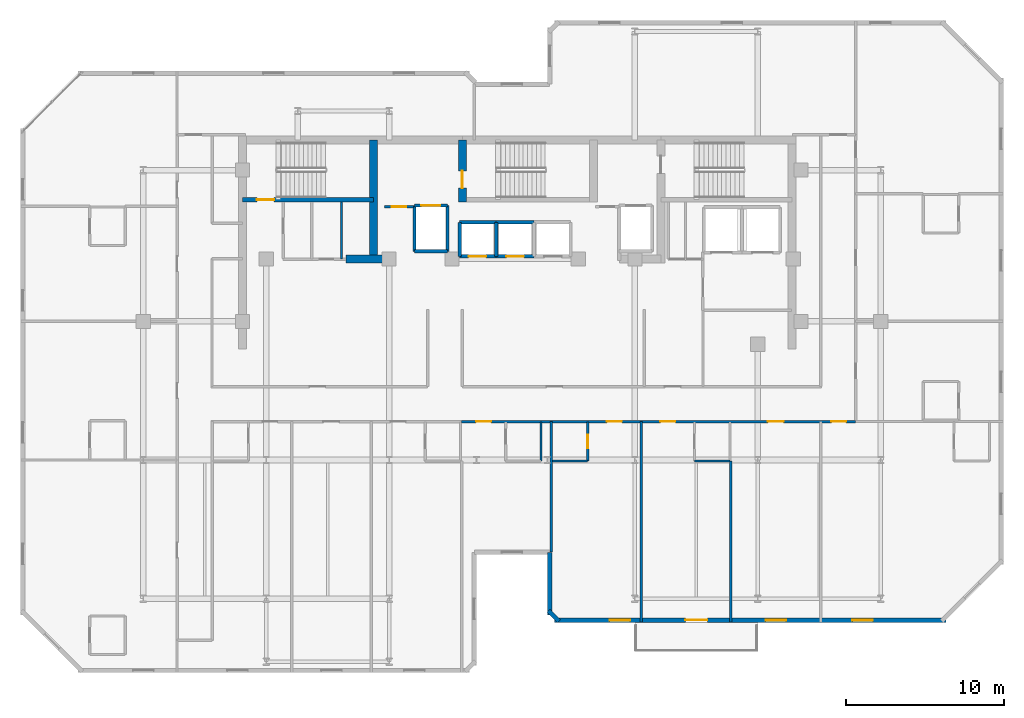
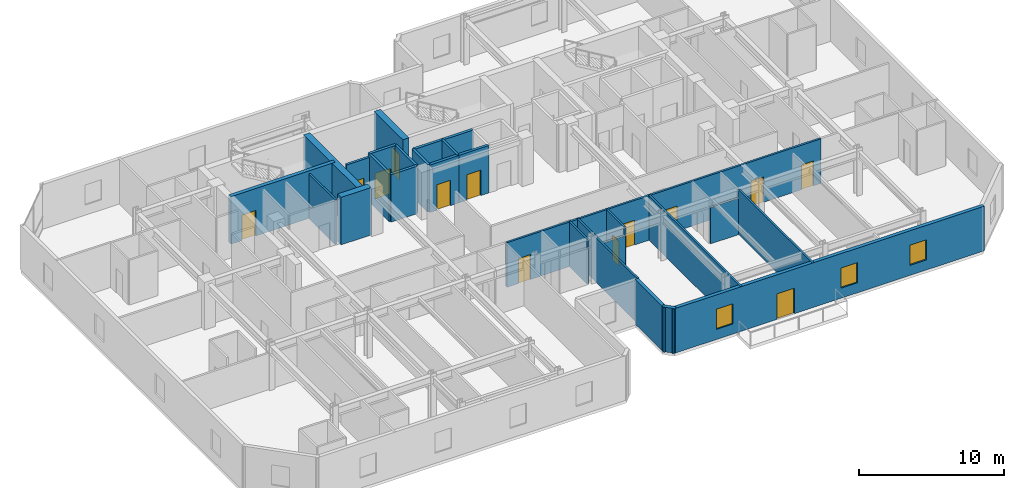
# One storey, part 5 of 11: 27 walls, 13 doors, 3 windows, 16 openings.
"""IFC4 building model written with IfcOpenShell, lengths in metres."""

from ifc_helpers import new_model, si_unit, direction, frame, frame_2d, origin, place, context, subcontext, project, spatial, rectangle, extrude, material, layer, layer_set, type_object, element, fill, save


model = new_model("IFC4")

# Units and contexts
model_context = context("Model", 3, precision=1e-05, world=origin(), true_north=direction((0.0, 1.0)))
body_context = subcontext(model_context, "Body", "Model", "MODEL_VIEW")
ifc_project = project(units=[si_unit("LENGTHUNIT", "METRE"), si_unit("AREAUNIT", "SQUARE_METRE"), si_unit("VOLUMEUNIT", "CUBIC_METRE"), si_unit("PLANEANGLEUNIT", "RADIAN"), si_unit("MASSUNIT", "GRAM", prefix="KILO")], contexts=[model_context])

# Site, building, storey
site_placement = place(None, origin())
site = spatial("IfcSite", under=ifc_project, at=site_placement, CompositionType="ELEMENT")
building_placement = place(site_placement, origin())
building = spatial("IfcBuilding", under=site, at=building_placement, Name="Kestravale Grand Hotel", CompositionType="ELEMENT")
storey_placement = place(building_placement, frame((0.0, 0.0, 289.39990234375)))
storey = spatial("IfcBuildingStorey", under=building, at=storey_placement, Name="L72", CompositionType="ELEMENT", Elevation=289.39990234375)

# Walls
ifc_material_1 = material(Name="Concrete f'c 50 MPa", Category="concrete")
ifc_layer_1 = layer(ifc_material_1, 0.5)
ifc_layer_set_1 = layer_set([ifc_layer_1], Name="EW-CORE-500")
wall_type_1 = type_object("IfcWallType", Name="EW-CORE-500", PredefinedType="SHEAR", material=ifc_layer_set_1)
wall_1_placement = place(storey_placement, frame((28.449951171875, 32.75, 0.0), z_axis=(0.0, 0.0, 1.0), x_axis=(1.0, 0.0, 0.0)))
element("IfcWall", 1, at=wall_1_placement, inside=storey, type_object=wall_type_1, Name="L72 core shear wall S1", PredefinedType="SHEAR", context=body_context, shape_type="SweptSolid", body=[
    extrude(rectangle(XDim=2.400146484375, YDim=0.5, at=frame_2d((1.2001953125, 0.0))), origin(), (0.0, 0.0, 1.0), 4.0),
])
wall_2_placement = place(storey_placement, frame((30.219970703125, 33.0, 0.0), z_axis=(0.0, 0.0, 1.0), x_axis=(0.0, 1.0, 0.0)))
element("IfcWall", 2, at=wall_2_placement, inside=storey, type_object=wall_type_1, Name="L72 core shear wall X1", PredefinedType="SHEAR", context=body_context, shape_type="SweptSolid", body=[
    extrude(rectangle(XDim=7.320068359375, YDim=0.5, at=frame_2d((3.66015625, 0.0))), origin(), (0.0, 0.0, 1.0), 4.0),
])

# Wall, opening, door
wall_3_placement = place(storey_placement, frame((35.85009765625, 36.3701171875, 0.0), z_axis=(0.0, 0.0, 1.0), x_axis=(0.0, 1.0, 0.0)))
wall_3 = element("IfcWall", 3, at=wall_3_placement, inside=storey, type_object=wall_type_1, Name="L72 core shear wall X2", PredefinedType="SHEAR", context=body_context, shape_type="SweptSolid", body=[
    extrude(rectangle(XDim=3.949951171875, YDim=0.5, at=frame_2d((1.97509765625, 0.0))), origin(), (0.0, 0.0, 1.0), 4.0),
])
opening_1_placement = place(wall_3_placement, frame((0.8798828125, 0.0, 0.0)))
opening_1 = element("IfcOpeningElement", 4, at=opening_1_placement, cuts=wall_3, Name="Opening D-ST-1100", PredefinedType="OPENING", context=body_context, shape_type="SweptSolid", body=[
    extrude(rectangle(XDim=1.10009765625, YDim=2.14990234375, at=frame_2d((0.550048828125, 1.074951171875))), frame((0.0, 0.260009765625, 0.0), z_axis=(0.0, -1.0, 0.0), x_axis=(1.0, 0.0, 0.0)), (0.0, 0.0, 1.0), 0.52001953125),
])
ifc_material_2 = material(Name="Galvanised 90-minute fire-rated steel stair door", Category="steel")
door_type_1 = type_object("IfcDoorType", Name="D-ST-1100", OperationType="NOTDEFINED", PredefinedType="DOOR", material=ifc_material_2)
door_1_placement = place(opening_1_placement, origin())
door_1 = element("IfcDoor", 5, at=door_1_placement, inside=storey, type_object=door_type_1, Name="L72 Stair ST-2 FSAE fire door", OperationType="SINGLE_SWING_RIGHT", OverallHeight=2.14990234375, OverallWidth=1.10009765625, PredefinedType="DOOR", context=body_context, shape_type="SweptSolid", body=[
    extrude(rectangle(XDim=1.10009765625, YDim=2.14990234375, at=frame_2d((0.550048828125, 1.074951171875))), frame((0.0, 0.02490234375, 0.0), z_axis=(0.0, -1.0, 0.0), x_axis=(1.0, 0.0, 0.0)), (0.0, 0.0, 1.0), 0.050048828125),
])
fill(opening_1, door_1)

# Walls
ifc_material_3 = material(Name="Precast concrete f'c 45 MPa", Category="concrete")
ifc_layer_2 = layer(ifc_material_3, 0.280029296875)
ifc_layer_set_2 = layer_set([ifc_layer_2], Name="EW-PREC-280")
wall_type_2 = type_object("IfcWallType", Name="EW-PREC-280", PredefinedType="SOLIDWALL", material=ifc_layer_set_2)
wall_4_placement = place(storey_placement, frame((41.389892578125, 14.139892578125, 0.0), z_axis=(0.0, 0.0, 1.0), x_axis=(0.0, -1.0, 0.0)))
element("IfcWall", 6, at=wall_4_placement, inside=storey, type_object=wall_type_2, Name="L72 fluted precast facade wall 5", PredefinedType="SOLIDWALL", context=body_context, shape_type="SweptSolid", body=[
    extrude(rectangle(XDim=3.97998046875, YDim=0.280029296875, at=frame_2d((1.989990234375, 0.0))), origin(), (0.0, 0.0, 1.0), 3.760009765625),
])
wall_5_placement = place(storey_placement, frame((41.32080078125, 10.42724609375, 0.0), z_axis=(0.0, 0.0, 1.0), x_axis=(0.707106781187, -0.707106781187, 0.0)))
element("IfcWall", 7, at=wall_5_placement, inside=storey, type_object=wall_type_2, Name="L72 fluted precast facade wall 6", PredefinedType="SOLIDWALL", context=body_context, shape_type="SweptSolid", body=[
    extrude(rectangle(XDim=0.928466796875, YDim=0.280029296875, at=frame_2d((0.46435546875, 0.0))), origin(), (0.0, 0.0, 1.0), 3.760009765625),
])

# Wall, openings, door, windows
wall_6_placement = place(storey_placement, frame((41.7099609375, 9.840087890625, 0.0), z_axis=(0.0, 0.0, 1.0), x_axis=(1.0, 0.0, 0.0)))
wall_6 = element("IfcWall", 8, at=wall_6_placement, inside=storey, type_object=wall_type_2, Name="L72 fluted precast facade wall 7", PredefinedType="SOLIDWALL", context=body_context, shape_type="SweptSolid", body=[
    extrude(rectangle(XDim=24.830078125, YDim=0.280029296875, at=frame_2d((12.4150390625, 0.0))), origin(), (0.0, 0.0, 1.0), 3.760009765625),
])
opening_2_placement = place(wall_6_placement, frame((8.2900390625, 0.0, 0.0)))
opening_2 = element("IfcOpeningElement", 9, at=opening_2_placement, cuts=wall_6, Name="Opening D-TERR-1400", PredefinedType="OPENING", context=body_context, shape_type="SweptSolid", body=[
    extrude(rectangle(XDim=1.39990234375, YDim=2.14990234375, at=frame_2d((0.699951171875, 1.074951171875))), frame((0.0, 0.14990234375, 0.0), z_axis=(0.0, -1.0, 0.0), x_axis=(1.0, 0.0, 0.0)), (0.0, 0.0, 1.0), 0.300048828125),
])
opening_3_placement = place(wall_6_placement, frame((3.48828125, 0.0, 0.85009765625)))
opening_3 = element("IfcOpeningElement", 10, at=opening_3_placement, cuts=wall_6, Name="Opening W-GUEST-1300", PredefinedType="OPENING", context=body_context, shape_type="SweptSolid", body=[
    extrude(rectangle(XDim=1.300048828125, YDim=1.699951171875, at=frame_2d((0.64990234375, 0.85009765625))), frame((0.0, 0.14990234375, 0.0), z_axis=(0.0, -1.0, 0.0), x_axis=(1.0, 0.0, 0.0)), (0.0, 0.0, 1.0), 0.300048828125),
])
opening_4_placement = place(wall_6_placement, frame((18.8916015625, 0.0, 0.85009765625)))
opening_4 = element("IfcOpeningElement", 11, at=opening_4_placement, cuts=wall_6, Name="Opening W-GUEST-1300", PredefinedType="OPENING", context=body_context, shape_type="SweptSolid", body=[
    extrude(rectangle(XDim=1.300048828125, YDim=1.699951171875, at=frame_2d((0.64990234375, 0.85009765625))), frame((0.0, 0.14990234375, 0.0), z_axis=(0.0, -1.0, 0.0), x_axis=(1.0, 0.0, 0.0)), (0.0, 0.0, 1.0), 0.300048828125),
])
opening_5_placement = place(wall_6_placement, frame((13.39111328125, 0.0, 0.85009765625)))
opening_5 = element("IfcOpeningElement", 12, at=opening_5_placement, cuts=wall_6, Name="Opening W-GUEST-1300", PredefinedType="OPENING", context=body_context, shape_type="SweptSolid", body=[
    extrude(rectangle(XDim=1.300048828125, YDim=1.699951171875, at=frame_2d((0.64990234375, 0.85009765625))), frame((0.0, 0.14990234375, 0.0), z_axis=(0.0, -1.0, 0.0), x_axis=(1.0, 0.0, 0.0)), (0.0, 0.0, 1.0), 0.300048828125),
])
ifc_material_4 = material(Name="Insulated glazed champagne-bronze aluminium door", Category="aluminium")
door_type_2 = type_object("IfcDoorType", Name="D-TERR-1400", OperationType="NOTDEFINED", PredefinedType="DOOR", material=ifc_material_4)
door_2_placement = place(opening_2_placement, origin())
door_2 = element("IfcDoor", 13, at=door_2_placement, inside=storey, type_object=door_type_2, Name="L72 outdoor garden terrace door", OperationType="DOUBLE_DOOR_SINGLE_SWING", OverallHeight=2.14990234375, OverallWidth=1.39990234375, PredefinedType="DOOR", context=body_context, shape_type="SweptSolid", body=[
    extrude(rectangle(XDim=1.39990234375, YDim=2.14990234375, at=frame_2d((0.699951171875, 1.074951171875))), frame((0.0, 0.02490234375, 0.0), z_axis=(0.0, -1.0, 0.0), x_axis=(1.0, 0.0, 0.0)), (0.0, 0.0, 1.0), 0.050048828125),
])
fill(opening_2, door_2)
ifc_material_5 = material(Name="Insulated low-E double glazing in aluminium frame", Category="aluminium")
window_type = type_object("IfcWindowType", Name="W-GUEST-1300", PartitioningType="SINGLE_PANEL", PredefinedType="WINDOW", material=ifc_material_5)
window_1_placement = place(opening_3_placement, origin())
window_1 = element("IfcWindow", 14, at=window_1_placement, inside=storey, type_object=window_type, Name="L72 exterior window 7.1", OverallHeight=1.699951171875, OverallWidth=1.300048828125, PartitioningType="SINGLE_PANEL", PredefinedType="WINDOW", context=body_context, shape_type="SweptSolid", body=[
    extrude(rectangle(XDim=1.300048828125, YDim=1.699951171875, at=frame_2d((0.64990234375, 0.85009765625))), frame((0.0, 0.030029296875, 0.0), z_axis=(0.0, -1.0, 0.0), x_axis=(1.0, 0.0, 0.0)), (0.0, 0.0, 1.0), 0.06005859375),
])
fill(opening_3, window_1)
window_2_placement = place(opening_4_placement, origin())
window_2 = element("IfcWindow", 15, at=window_2_placement, inside=storey, type_object=window_type, Name="L72 exterior window 7.2", OverallHeight=1.699951171875, OverallWidth=1.300048828125, PartitioningType="SINGLE_PANEL", PredefinedType="WINDOW", context=body_context, shape_type="SweptSolid", body=[
    extrude(rectangle(XDim=1.300048828125, YDim=1.699951171875, at=frame_2d((0.64990234375, 0.85009765625))), frame((0.0, 0.030029296875, 0.0), z_axis=(0.0, -1.0, 0.0), x_axis=(1.0, 0.0, 0.0)), (0.0, 0.0, 1.0), 0.06005859375),
])
fill(opening_4, window_2)
window_3_placement = place(opening_5_placement, origin())
window_3 = element("IfcWindow", 16, at=window_3_placement, inside=storey, type_object=window_type, Name="L72 guestroom envelope window 3", OverallHeight=1.699951171875, OverallWidth=1.300048828125, PartitioningType="SINGLE_PANEL", PredefinedType="WINDOW", context=body_context, shape_type="SweptSolid", body=[
    extrude(rectangle(XDim=1.300048828125, YDim=1.699951171875, at=frame_2d((0.64990234375, 0.85009765625))), frame((0.0, 0.030029296875, 0.0), z_axis=(0.0, -1.0, 0.0), x_axis=(1.0, 0.0, 0.0)), (0.0, 0.0, 1.0), 0.06005859375),
])
fill(opening_5, window_3)

# Wall, opening, door
ifc_material_6 = material(Name="Concrete f'c 45 MPa", Category="concrete")
ifc_layer_3 = layer(ifc_material_6, 0.300048828125)
ifc_layer_set_3 = layer_set([ifc_layer_3], Name="EW-STAIR-300")
wall_type_3 = type_object("IfcWallType", Name="EW-STAIR-300", PredefinedType="SHEAR", material=ifc_layer_set_3)
wall_7_placement = place(storey_placement, frame((21.89990234375, 36.52001953125, 0.0), z_axis=(0.0, 0.0, 1.0), x_axis=(1.0, 0.0, 0.0)))
wall_7 = element("IfcWall", 17, at=wall_7_placement, inside=storey, type_object=wall_type_3, Name="L72 stair enclosure shear wall SST1", PredefinedType="SHEAR", context=body_context, shape_type="SweptSolid", body=[
    extrude(rectangle(XDim=8.320068359375, YDim=0.300048828125, at=frame_2d((4.16015625, 0.0))), origin(), (0.0, 0.0, 1.0), 4.0),
])
opening_6_placement = place(wall_7_placement, frame((0.89990234375, 0.0, 0.0)))
opening_6 = element("IfcOpeningElement", 18, at=opening_6_placement, cuts=wall_7, Name="Opening D-ST-1100", PredefinedType="OPENING", context=body_context, shape_type="SweptSolid", body=[
    extrude(rectangle(XDim=1.10009765625, YDim=2.14990234375, at=frame_2d((0.550048828125, 1.074951171875))), frame((0.0, 0.159912109375, 0.0), z_axis=(0.0, -1.0, 0.0), x_axis=(1.0, 0.0, 0.0)), (0.0, 0.0, 1.0), 0.320068359375),
])
door_3_placement = place(opening_6_placement, origin())
door_3 = element("IfcDoor", 19, at=door_3_placement, inside=storey, type_object=door_type_1, Name="L72 Stair ST-1 fire door", OperationType="SINGLE_SWING_RIGHT", OverallHeight=2.14990234375, OverallWidth=1.10009765625, PredefinedType="DOOR", context=body_context, shape_type="SweptSolid", body=[
    extrude(rectangle(XDim=1.10009765625, YDim=2.14990234375, at=frame_2d((0.550048828125, 1.074951171875))), frame((0.0, 0.02490234375, 0.0), z_axis=(0.0, -1.0, 0.0), x_axis=(1.0, 0.0, 0.0)), (0.0, 0.0, 1.0), 0.050048828125),
])
fill(opening_6, door_3)

# Wall, openings, doors
ifc_material_7 = material(Name="Acoustic fire-rated gypsum board partition", Category="other")
ifc_layer_4 = layer(ifc_material_7, 0.159912109375)
ifc_layer_set_4 = layer_set([ifc_layer_4], Name="IW-CORR-160")
wall_type_4 = type_object("IfcWallType", Name="IW-CORR-160", PredefinedType="PARTITIONING", material=ifc_layer_set_4)
wall_8_placement = place(storey_placement, frame((35.800048828125, 22.43994140625, 0.0), z_axis=(0.0, 0.0, 1.0), x_axis=(1.0, 0.0, 0.0)))
wall_8 = element("IfcWall", 20, at=wall_8_placement, inside=storey, type_object=wall_type_4, Name="W-L72-CE-S", PredefinedType="PARTITIONING", context=body_context, shape_type="SweptSolid", body=[
    extrude(rectangle(XDim=25.010009765625, YDim=0.159912109375, at=frame_2d((12.5048828125, 0.0))), origin(), (0.0, 0.0, 1.0), 3.760009765625),
])
opening_7_placement = place(wall_8_placement, frame((0.923828125, 0.0, 0.0)))
opening_7 = element("IfcOpeningElement", 21, at=opening_7_placement, cuts=wall_8, Name="Opening D-GUEST-950", PredefinedType="OPENING", context=body_context, shape_type="SweptSolid", body=[
    extrude(rectangle(XDim=0.949951171875, YDim=2.10009765625, at=frame_2d((0.47509765625, 1.050048828125))), frame((0.0, 0.08984375, 0.0), z_axis=(0.0, -1.0, 0.0), x_axis=(1.0, 0.0, 0.0)), (0.0, 0.0, 1.0), 0.179931640625),
])
opening_8_placement = place(wall_8_placement, frame((9.226318359375, 0.0, 0.0)))
opening_8 = element("IfcOpeningElement", 22, at=opening_8_placement, cuts=wall_8, Name="Opening D-GUEST-950", PredefinedType="OPENING", context=body_context, shape_type="SweptSolid", body=[
    extrude(rectangle(XDim=0.949951171875, YDim=2.10009765625, at=frame_2d((0.47509765625, 1.050048828125))), frame((0.0, 0.08984375, 0.0), z_axis=(0.0, -1.0, 0.0), x_axis=(1.0, 0.0, 0.0)), (0.0, 0.0, 1.0), 0.179931640625),
])
opening_9_placement = place(wall_8_placement, frame((12.61376953125, 0.0, 0.0)))
opening_9 = element("IfcOpeningElement", 23, at=opening_9_placement, cuts=wall_8, Name="Opening D-GUEST-950", PredefinedType="OPENING", context=body_context, shape_type="SweptSolid", body=[
    extrude(rectangle(XDim=0.949951171875, YDim=2.10009765625, at=frame_2d((0.47509765625, 1.050048828125))), frame((0.0, 0.08984375, 0.0), z_axis=(0.0, -1.0, 0.0), x_axis=(1.0, 0.0, 0.0)), (0.0, 0.0, 1.0), 0.179931640625),
])
opening_10_placement = place(wall_8_placement, frame((19.44140625, 0.0, 0.0)))
opening_10 = element("IfcOpeningElement", 24, at=opening_10_placement, cuts=wall_8, Name="Opening D-GUEST-1000", PredefinedType="OPENING", context=body_context, shape_type="SweptSolid", body=[
    extrude(rectangle(XDim=1.0, YDim=2.14990234375, at=frame_2d((0.5, 1.074951171875))), frame((0.0, 0.08984375, 0.0), z_axis=(0.0, -1.0, 0.0), x_axis=(1.0, 0.0, 0.0)), (0.0, 0.0, 1.0), 0.179931640625),
])
opening_11_placement = place(wall_8_placement, frame((23.465087890625, 0.0, 0.0)))
opening_11 = element("IfcOpeningElement", 25, at=opening_11_placement, cuts=wall_8, Name="Opening D-GUEST-950", PredefinedType="OPENING", context=body_context, shape_type="SweptSolid", body=[
    extrude(rectangle(XDim=0.949951171875, YDim=2.10009765625, at=frame_2d((0.47509765625, 1.050048828125))), frame((0.0, 0.08984375, 0.0), z_axis=(0.0, -1.0, 0.0), x_axis=(1.0, 0.0, 0.0)), (0.0, 0.0, 1.0), 0.179931640625),
])
ifc_material_8 = material(Name="Accessible walnut veneer hotel entrance fire door", Category="wood")
door_type_3 = type_object("IfcDoorType", Name="D-GUEST-1000", OperationType="NOTDEFINED", PredefinedType="DOOR", material=ifc_material_8)
door_4_placement = place(opening_10_placement, origin())
door_4 = element("IfcDoor", 26, at=door_4_placement, inside=storey, type_object=door_type_3, Name="D-L72-AME", OperationType="SINGLE_SWING_LEFT", OverallHeight=2.14990234375, OverallWidth=1.0, PredefinedType="DOOR", context=body_context, shape_type="SweptSolid", body=[
    extrude(rectangle(XDim=1.0, YDim=2.14990234375, at=frame_2d((0.5, 1.074951171875))), frame((0.0, 0.02490234375, 0.0), z_axis=(0.0, -1.0, 0.0), x_axis=(1.0, 0.0, 0.0)), (0.0, 0.0, 1.0), 0.050048828125),
])
fill(opening_10, door_4)
ifc_material_9 = material(Name="Walnut veneer hotel guestroom entrance fire door", Category="wood")
door_type_4 = type_object("IfcDoorType", Name="D-GUEST-950", OperationType="NOTDEFINED", PredefinedType="DOOR", material=ifc_material_9)
door_5_placement = place(opening_7_placement, origin())
door_5 = element("IfcDoor", 27, at=door_5_placement, inside=storey, type_object=door_type_4, Name="D-L72-U03-ENT", OperationType="SINGLE_SWING_RIGHT", OverallHeight=2.10009765625, OverallWidth=0.949951171875, PredefinedType="DOOR", context=body_context, shape_type="SweptSolid", body=[
    extrude(rectangle(XDim=0.949951171875, YDim=2.10009765625, at=frame_2d((0.47509765625, 1.050048828125))), frame((0.0, 0.02490234375, 0.0), z_axis=(0.0, -1.0, 0.0), x_axis=(1.0, 0.0, 0.0)), (0.0, 0.0, 1.0), 0.050048828125),
])
fill(opening_7, door_5)
door_6_placement = place(opening_8_placement, origin())
door_6 = element("IfcDoor", 28, at=door_6_placement, inside=storey, type_object=door_type_4, Name="D-L72-U04-ENT", OperationType="SINGLE_SWING_RIGHT", OverallHeight=2.10009765625, OverallWidth=0.949951171875, PredefinedType="DOOR", context=body_context, shape_type="SweptSolid", body=[
    extrude(rectangle(XDim=0.949951171875, YDim=2.10009765625, at=frame_2d((0.47509765625, 1.050048828125))), frame((0.0, 0.02490234375, 0.0), z_axis=(0.0, -1.0, 0.0), x_axis=(1.0, 0.0, 0.0)), (0.0, 0.0, 1.0), 0.050048828125),
])
fill(opening_8, door_6)
door_7_placement = place(opening_9_placement, origin())
door_7 = element("IfcDoor", 29, at=door_7_placement, inside=storey, type_object=door_type_4, Name="D-L72-U05-ENT", OperationType="SINGLE_SWING_RIGHT", OverallHeight=2.10009765625, OverallWidth=0.949951171875, PredefinedType="DOOR", context=body_context, shape_type="SweptSolid", body=[
    extrude(rectangle(XDim=0.949951171875, YDim=2.10009765625, at=frame_2d((0.47509765625, 1.050048828125))), frame((0.0, 0.02490234375, 0.0), z_axis=(0.0, -1.0, 0.0), x_axis=(1.0, 0.0, 0.0)), (0.0, 0.0, 1.0), 0.050048828125),
])
fill(opening_9, door_7)
door_8_placement = place(opening_11_placement, origin())
door_8 = element("IfcDoor", 30, at=door_8_placement, inside=storey, type_object=door_type_4, Name="D-L72-U09-ENT", OperationType="SINGLE_SWING_RIGHT", OverallHeight=2.10009765625, OverallWidth=0.949951171875, PredefinedType="DOOR", context=body_context, shape_type="SweptSolid", body=[
    extrude(rectangle(XDim=0.949951171875, YDim=2.10009765625, at=frame_2d((0.47509765625, 1.050048828125))), frame((0.0, 0.02490234375, 0.0), z_axis=(0.0, -1.0, 0.0), x_axis=(1.0, 0.0, 0.0)), (0.0, 0.0, 1.0), 0.050048828125),
])
fill(opening_11, door_8)

# Wall, opening, door
ifc_material_10 = material(Name="Fire-rated gypsum board on steel studs with mineral wool", Category="steel")
ifc_layer_5 = layer(ifc_material_10, 0.179931640625)
ifc_layer_set_5 = layer_set([ifc_layer_5], Name="IW-FSAE-180")
wall_type_5 = type_object("IfcWallType", Name="IW-FSAE-180", PredefinedType="PARTITIONING", material=ifc_layer_set_5)
wall_9_placement = place(storey_placement, frame((30.89990234375, 36.080078125, 0.0), z_axis=(0.0, 0.0, 1.0), x_axis=(1.0, 0.0, 0.0)))
wall_9 = element("IfcWall", 31, at=wall_9_placement, inside=storey, type_object=wall_type_5, Name="L72 FSAE Lobby 1 smoke barrier", PredefinedType="PARTITIONING", context=body_context, shape_type="SweptSolid", body=[
    extrude(rectangle(XDim=1.85009765625, YDim=0.179931640625, at=frame_2d((0.925048828125, 0.0))), origin(), (0.0, 0.0, 1.0), 3.760009765625),
])
opening_12_placement = place(wall_9_placement, frame((0.47998046875, 0.0, 0.0)))
opening_12 = element("IfcOpeningElement", 32, at=opening_12_placement, cuts=wall_9, Name="Opening D-FSAE-1000", PredefinedType="OPENING", context=body_context, shape_type="SweptSolid", body=[
    extrude(rectangle(XDim=0.89990234375, YDim=2.14990234375, at=frame_2d((0.449951171875, 1.074951171875))), frame((0.0, 0.099853515625, 0.0), z_axis=(0.0, -1.0, 0.0), x_axis=(1.0, 0.0, 0.0)), (0.0, 0.0, 1.0), 0.199951171875),
])
ifc_material_11 = material(Name="Smoke-gasketed FSAE lobby fire door", Category="steel")
door_type_5 = type_object("IfcDoorType", Name="D-FSAE-1000", OperationType="NOTDEFINED", PredefinedType="DOOR", material=ifc_material_11)
door_9_placement = place(opening_12_placement, origin())
door_9 = element("IfcDoor", 33, at=door_9_placement, inside=storey, type_object=door_type_5, Name="L72 FSAE Lobby 1 fire door", OperationType="SINGLE_SWING_RIGHT", OverallHeight=2.14990234375, OverallWidth=0.89990234375, PredefinedType="DOOR", context=body_context, shape_type="SweptSolid", body=[
    extrude(rectangle(XDim=0.89990234375, YDim=2.14990234375, at=frame_2d((0.449951171875, 1.074951171875))), frame((0.0, 0.02490234375, 0.0), z_axis=(0.0, -1.0, 0.0), x_axis=(1.0, 0.0, 0.0)), (0.0, 0.0, 1.0), 0.050048828125),
])
fill(opening_12, door_9)

# Wall
ifc_material_12 = material(Name="Moisture-resistant tile-backer plumbing chase wall", Category="other")
ifc_layer_6 = layer(ifc_material_12, 0.139892578125)
ifc_layer_set_6 = layer_set([ifc_layer_6], Name="IW-PLB-140")
wall_type_6 = type_object("IfcWallType", Name="IW-PLB-140", PredefinedType="PLUMBINGWALL", material=ifc_layer_set_6)
wall_10_placement = place(storey_placement, frame((40.847412109375, 19.929931640625, 0.0), z_axis=(0.0, 0.0, 1.0), x_axis=(0.0, 1.0, 0.0)))
element("IfcWall", 34, at=wall_10_placement, inside=storey, type_object=wall_type_6, Name="W-L72-U03-BE", PredefinedType="PLUMBINGWALL", context=body_context, shape_type="SweptSolid", body=[
    extrude(rectangle(XDim=2.489990234375, YDim=0.139892578125, at=frame_2d((1.2451171875, 0.0))), origin(), (0.0, 0.0, 1.0), 3.760009765625),
])

# Wall, opening, door
wall_11_placement = place(storey_placement, frame((43.8076171875, 19.929931640625, 0.0), z_axis=(0.0, 0.0, 1.0), x_axis=(0.0, 1.0, 0.0)))
wall_11 = element("IfcWall", 35, at=wall_11_placement, inside=storey, type_object=wall_type_6, Name="W-L72-U04-BE", PredefinedType="PLUMBINGWALL", context=body_context, shape_type="SweptSolid", body=[
    extrude(rectangle(XDim=2.489990234375, YDim=0.139892578125, at=frame_2d((1.2451171875, 0.0))), origin(), (0.0, 0.0, 1.0), 3.760009765625),
])
opening_13_placement = place(wall_11_placement, frame((0.804931640625, 0.0, 0.0)))
opening_13 = element("IfcOpeningElement", 36, at=opening_13_placement, cuts=wall_11, Name="Opening D-BATH-880", PredefinedType="OPENING", context=body_context, shape_type="SweptSolid", body=[
    extrude(rectangle(XDim=0.8798828125, YDim=2.050048828125, at=frame_2d((0.43994140625, 1.02490234375))), frame((0.0, 0.079833984375, 0.0), z_axis=(0.0, -1.0, 0.0), x_axis=(1.0, 0.0, 0.0)), (0.0, 0.0, 1.0), 0.159912109375),
])
ifc_material_13 = material(Name="Moisture-sealed walnut en-suite bathroom door", Category="wood")
door_type_6 = type_object("IfcDoorType", Name="D-BATH-880", OperationType="NOTDEFINED", PredefinedType="DOOR", material=ifc_material_13)
door_10_placement = place(opening_13_placement, origin())
door_10 = element("IfcDoor", 37, at=door_10_placement, inside=storey, type_object=door_type_6, Name="D-L72-U04-BATH", OperationType="SINGLE_SWING_LEFT", OverallHeight=2.050048828125, OverallWidth=0.8798828125, PredefinedType="DOOR", context=body_context, shape_type="SweptSolid", body=[
    extrude(rectangle(XDim=0.8798828125, YDim=2.050048828125, at=frame_2d((0.43994140625, 1.02490234375))), frame((0.0, 0.02490234375, 0.0), z_axis=(0.0, -1.0, 0.0), x_axis=(1.0, 0.0, 0.0)), (0.0, 0.0, 1.0), 0.050048828125),
])
fill(opening_13, door_10)

# Walls
for number, where, z_axis, x_axis, name in (
    (38, (41.5576171875, 19.929931640625, 0.0), (0.0, 0.0, 1.0), (1.0, 0.0, 0.0), "W-L72-U04-BS"),
    (39, (50.58251953125, 19.929931640625, 0.0), (0.0, 0.0, 1.0), (1.0, 0.0, 0.0), "W-L72-U05-BS"),
):
    element("IfcWall", number, at=place(storey_placement, frame(where, z_axis=z_axis, x_axis=x_axis)), inside=storey, type_object=wall_type_6, Name=name, PredefinedType="PLUMBINGWALL", context=body_context, shape_type="SweptSolid", body=[
        extrude(rectangle(XDim=2.25, YDim=0.139892578125, at=frame_2d((1.125, 0.0))), origin(), (0.0, 0.0, 1.0), 3.064208984375),
    ])
ifc_material_14 = material(Name="Concrete f'c 45 MPa", Category="concrete")
ifc_layer_7 = layer(ifc_material_14, 0.199951171875)
ifc_layer_set_7 = layer_set([ifc_layer_7], Name="IW-SHAFT-200")
wall_type_7 = type_object("IfcWallType", Name="IW-SHAFT-200", PredefinedType="SHEAR", material=ifc_layer_set_7)
for number, where, z_axis, x_axis, name in (
    (40, (35.679931640625, 32.919921875, 0.0), (0.0, 0.0, 1.0), (0.0, 1.0, 0.0), "L72 PL-X1 west shaft wall"),
    (41, (38.0, 32.919921875, 0.0), (0.0, 0.0, 1.0), (0.0, 1.0, 0.0), "L72 PL-X2 west shaft wall"),
):
    element("IfcWall", number, at=place(storey_placement, frame(where, z_axis=z_axis, x_axis=x_axis)), inside=storey, type_object=wall_type_7, Name=name, PredefinedType="SHEAR", context=body_context, shape_type="SweptSolid", body=[
        extrude(rectangle(XDim=2.16015625, YDim=0.199951171875, at=frame_2d((1.080078125, 0.0))), origin(), (0.0, 0.0, 1.0), 4.0),
    ])
for number, where, z_axis, x_axis, name in (
    (42, (32.804931640625, 33.2451171875, 0.0), (0.0, 0.0, 1.0), (0.0, 1.0, 0.0), "L72 FL-1 west shaft wall"),
    (43, (34.89501953125, 33.2451171875, 0.0), (0.0, 0.0, 1.0), (0.0, 1.0, 0.0), "L72 FL-1 east shaft wall"),
):
    element("IfcWall", number, at=place(storey_placement, frame(where, z_axis=z_axis, x_axis=x_axis)), inside=storey, type_object=wall_type_7, Name=name, PredefinedType="SHEAR", context=body_context, shape_type="SweptSolid", body=[
        extrude(rectangle(XDim=2.909912109375, YDim=0.199951171875, at=frame_2d((1.455078125, 0.0))), origin(), (0.0, 0.0, 1.0), 4.0),
    ])
ifc_material_15 = material(Name="Concrete f'c 45 MPa", Category="concrete")
ifc_layer_8 = layer(ifc_material_15, 0.219970703125)
ifc_layer_set_8 = layer_set([ifc_layer_8], Name="IW-SHAFT-220")
wall_type_8 = type_object("IfcWallType", Name="IW-SHAFT-220", PredefinedType="SHEAR", material=ifc_layer_set_8)
wall_12_placement = place(storey_placement, frame((35.679931640625, 35.080078125, 0.0), z_axis=(0.0, 0.0, 1.0), x_axis=(1.0, 0.0, 0.0)))
element("IfcWall", 44, at=wall_12_placement, inside=storey, type_object=wall_type_8, Name="L72 PL-X1 north shaft wall", PredefinedType="SHEAR", context=body_context, shape_type="SweptSolid", body=[
    extrude(rectangle(XDim=2.320068359375, YDim=0.219970703125, at=frame_2d((1.16015625, 0.0))), origin(), (0.0, 0.0, 1.0), 4.0),
])

# Wall, opening, door
wall_13_placement = place(storey_placement, frame((35.679931640625, 32.919921875, 0.0), z_axis=(0.0, 0.0, 1.0), x_axis=(1.0, 0.0, 0.0)))
wall_13 = element("IfcWall", 45, at=wall_13_placement, inside=storey, type_object=wall_type_8, Name="L72 PL-X1 south shaft wall", PredefinedType="SHEAR", context=body_context, shape_type="SweptSolid", body=[
    extrude(rectangle(XDim=2.320068359375, YDim=0.219970703125, at=frame_2d((1.16015625, 0.0))), origin(), (0.0, 0.0, 1.0), 4.0),
])
opening_14_placement = place(wall_13_placement, frame((0.570068359375, 0.0, 0.0)))
opening_14 = element("IfcOpeningElement", 46, at=opening_14_placement, cuts=wall_13, Name="Opening LD-PAX-1100", PredefinedType="OPENING", context=body_context, shape_type="SweptSolid", body=[
    extrude(rectangle(XDim=1.10009765625, YDim=2.14990234375, at=frame_2d((0.550048828125, 1.074951171875))), frame((0.0, 0.119873046875, 0.0), z_axis=(0.0, -1.0, 0.0), x_axis=(1.0, 0.0, 0.0)), (0.0, 0.0, 1.0), 0.239990234375),
])
ifc_material_16 = material(Name="Champagne-bronze center-opening sliding elevator landing door", Category="steel")
door_type_7 = type_object("IfcDoorType", Name="LD-PAX-1100", OperationType="NOTDEFINED", PredefinedType="DOOR", material=ifc_material_16)
door_11_placement = place(opening_14_placement, origin())
door_11 = element("IfcDoor", 47, at=door_11_placement, inside=storey, type_object=door_type_7, Name="L72 PL-X1 elevator landing sliding door", OperationType="DOUBLE_DOOR_SLIDING", OverallHeight=2.14990234375, OverallWidth=1.10009765625, PredefinedType="DOOR", context=body_context, shape_type="SweptSolid", body=[
    extrude(rectangle(XDim=1.10009765625, YDim=2.14990234375, at=frame_2d((0.550048828125, 1.074951171875))), frame((0.0, 0.02490234375, 0.0), z_axis=(0.0, -1.0, 0.0), x_axis=(1.0, 0.0, 0.0)), (0.0, 0.0, 1.0), 0.050048828125),
])
fill(opening_14, door_11)

# Wall
wall_14_placement = place(storey_placement, frame((38.0, 35.080078125, 0.0), z_axis=(0.0, 0.0, 1.0), x_axis=(1.0, 0.0, 0.0)))
element("IfcWall", 48, at=wall_14_placement, inside=storey, type_object=wall_type_8, Name="L72 PL-X2 north shaft wall", PredefinedType="SHEAR", context=body_context, shape_type="SweptSolid", body=[
    extrude(rectangle(XDim=2.39990234375, YDim=0.219970703125, at=frame_2d((1.199951171875, 0.0))), origin(), (0.0, 0.0, 1.0), 4.0),
])

# Wall, opening, door
wall_15_placement = place(storey_placement, frame((38.0, 32.919921875, 0.0), z_axis=(0.0, 0.0, 1.0), x_axis=(1.0, 0.0, 0.0)))
wall_15 = element("IfcWall", 49, at=wall_15_placement, inside=storey, type_object=wall_type_8, Name="L72 PL-X2 south shaft wall", PredefinedType="SHEAR", context=body_context, shape_type="SweptSolid", body=[
    extrude(rectangle(XDim=2.39990234375, YDim=0.219970703125, at=frame_2d((1.199951171875, 0.0))), origin(), (0.0, 0.0, 1.0), 4.0),
])
opening_15_placement = place(wall_15_placement, frame((0.64990234375, 0.0, 0.0)))
opening_15 = element("IfcOpeningElement", 50, at=opening_15_placement, cuts=wall_15, Name="Opening LD-PAX-1100", PredefinedType="OPENING", context=body_context, shape_type="SweptSolid", body=[
    extrude(rectangle(XDim=1.10009765625, YDim=2.14990234375, at=frame_2d((0.550048828125, 1.074951171875))), frame((0.0, 0.119873046875, 0.0), z_axis=(0.0, -1.0, 0.0), x_axis=(1.0, 0.0, 0.0)), (0.0, 0.0, 1.0), 0.239990234375),
])
door_12_placement = place(opening_15_placement, origin())
door_12 = element("IfcDoor", 51, at=door_12_placement, inside=storey, type_object=door_type_7, Name="L72 PL-X2 elevator landing sliding door", OperationType="DOUBLE_DOOR_SLIDING", OverallHeight=2.14990234375, OverallWidth=1.10009765625, PredefinedType="DOOR", context=body_context, shape_type="SweptSolid", body=[
    extrude(rectangle(XDim=1.10009765625, YDim=2.14990234375, at=frame_2d((0.550048828125, 1.074951171875))), frame((0.0, 0.02490234375, 0.0), z_axis=(0.0, -1.0, 0.0), x_axis=(1.0, 0.0, 0.0)), (0.0, 0.0, 1.0), 0.050048828125),
])
fill(opening_15, door_12)

wall_16_placement = place(storey_placement, frame((32.804931640625, 36.155029296875, 0.0), z_axis=(0.0, 0.0, 1.0), x_axis=(1.0, 0.0, 0.0)))
wall_16 = element("IfcWall", 52, at=wall_16_placement, inside=storey, type_object=wall_type_8, Name="L72 FL-1 north shaft wall", PredefinedType="SHEAR", context=body_context, shape_type="SweptSolid", body=[
    extrude(rectangle(XDim=2.090087890625, YDim=0.219970703125, at=frame_2d((1.044921875, 0.0))), origin(), (0.0, 0.0, 1.0), 4.0),
])
opening_16_placement = place(wall_16_placement, frame((0.445068359375, 0.0, 0.0)))
opening_16 = element("IfcOpeningElement", 53, at=opening_16_placement, cuts=wall_16, Name="Opening LD-FSAE-1200", PredefinedType="OPENING", context=body_context, shape_type="SweptSolid", body=[
    extrude(rectangle(XDim=1.199951171875, YDim=2.14990234375, at=frame_2d((0.60009765625, 1.074951171875))), frame((0.0, 0.119873046875, 0.0), z_axis=(0.0, -1.0, 0.0), x_axis=(1.0, 0.0, 0.0)), (0.0, 0.0, 1.0), 0.239990234375),
])
ifc_material_17 = material(Name="Stainless fire-service sliding elevator landing door", Category="steel")
door_type_8 = type_object("IfcDoorType", Name="LD-FSAE-1200", OperationType="NOTDEFINED", PredefinedType="DOOR", material=ifc_material_17)
door_13_placement = place(opening_16_placement, origin())
door_13 = element("IfcDoor", 54, at=door_13_placement, inside=storey, type_object=door_type_8, Name="L72 FL-1 elevator landing sliding door", OperationType="DOUBLE_DOOR_SLIDING", OverallHeight=2.14990234375, OverallWidth=1.199951171875, PredefinedType="DOOR", context=body_context, shape_type="SweptSolid", body=[
    extrude(rectangle(XDim=1.199951171875, YDim=2.14990234375, at=frame_2d((0.60009765625, 1.074951171875))), frame((0.0, 0.02490234375, 0.0), z_axis=(0.0, -1.0, 0.0), x_axis=(1.0, 0.0, 0.0)), (0.0, 0.0, 1.0), 0.050048828125),
])
fill(opening_16, door_13)

# Walls
wall_17_placement = place(storey_placement, frame((32.804931640625, 33.2451171875, 0.0), z_axis=(0.0, 0.0, 1.0), x_axis=(1.0, 0.0, 0.0)))
element("IfcWall", 55, at=wall_17_placement, inside=storey, type_object=wall_type_8, Name="L72 FL-1 south shaft wall", PredefinedType="SHEAR", context=body_context, shape_type="SweptSolid", body=[
    extrude(rectangle(XDim=2.090087890625, YDim=0.219970703125, at=frame_2d((1.044921875, 0.0))), origin(), (0.0, 0.0, 1.0), 4.0),
])
ifc_material_18 = material(Name="Double-stud STC 52 acoustic demising partition", Category="other")
ifc_layer_9 = layer(ifc_material_18, 0.14990234375)
ifc_layer_set_9 = layer_set([ifc_layer_9], Name="IW-UNIT-150")
wall_type_9 = type_object("IfcWallType", Name="IW-UNIT-150", PredefinedType="PARTITIONING", material=ifc_layer_set_9)
wall_18_placement = place(storey_placement, frame((28.179931640625, 32.75, 0.0), z_axis=(0.0, 0.0, 1.0), x_axis=(0.0, 1.0, 0.0)))
element("IfcWall", 56, at=wall_18_placement, inside=storey, type_object=wall_type_9, Name="W-L72-CC1-2", PredefinedType="PARTITIONING", context=body_context, shape_type="SweptSolid", body=[
    extrude(rectangle(XDim=3.6201171875, YDim=0.14990234375, at=frame_2d((1.81005859375, 0.0))), origin(), (0.0, 0.0, 1.0), 3.760009765625),
])
wall_19_placement = place(storey_placement, frame((41.49755859375, 14.159912109375, 0.0), z_axis=(0.0, 0.0, 1.0), x_axis=(0.0, 1.0, 0.0)))
element("IfcWall", 57, at=wall_19_placement, inside=storey, type_object=wall_type_9, Name="W-L72-ES-1", PredefinedType="PARTITIONING", context=body_context, shape_type="SweptSolid", body=[
    extrude(rectangle(XDim=8.280029296875, YDim=0.14990234375, at=frame_2d((4.14013671875, 0.0))), origin(), (0.0, 0.0, 1.0), 3.760009765625),
])
wall_20_placement = place(storey_placement, frame((47.195068359375, 9.719970703125, 0.0), z_axis=(0.0, 0.0, 1.0), x_axis=(0.0, 1.0, 0.0)))
element("IfcWall", 58, at=wall_20_placement, inside=storey, type_object=wall_type_9, Name="W-L72-ES-2", PredefinedType="PARTITIONING", context=body_context, shape_type="SweptSolid", body=[
    extrude(rectangle(XDim=12.719970703125, YDim=0.14990234375, at=frame_2d((6.35986328125, 0.0))), origin(), (0.0, 0.0, 1.0), 3.760009765625),
])
wall_21_placement = place(storey_placement, frame((52.892578125, 9.719970703125, 0.0), z_axis=(0.0, 0.0, 1.0), x_axis=(0.0, 1.0, 0.0)))
element("IfcWall", 59, at=wall_21_placement, inside=storey, type_object=wall_type_9, Name="W-L72-ES-3", PredefinedType="PARTITIONING", context=body_context, shape_type="SweptSolid", body=[
    extrude(rectangle(XDim=10.2099609375, YDim=0.14990234375, at=frame_2d((5.10498046875, 0.0))), origin(), (0.0, 0.0, 1.0), 3.760009765625),
])

save(model, "model.ifc")
